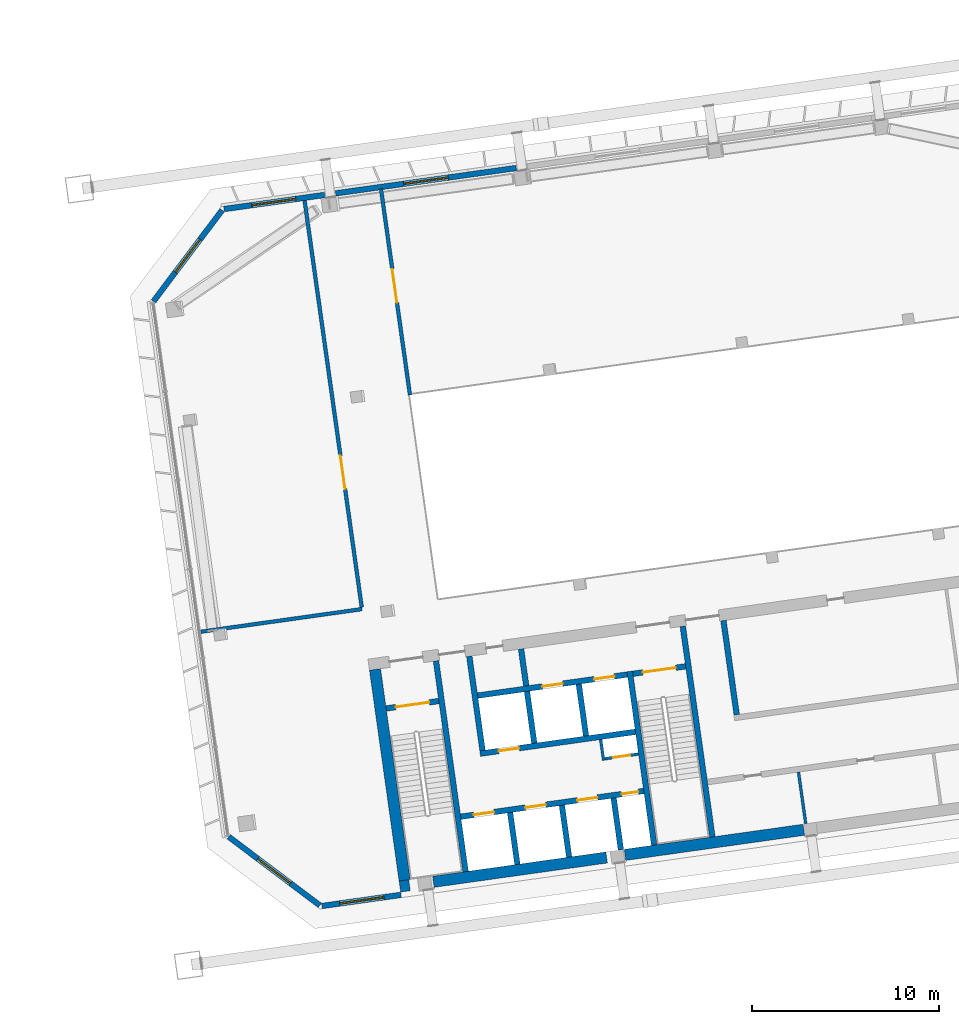
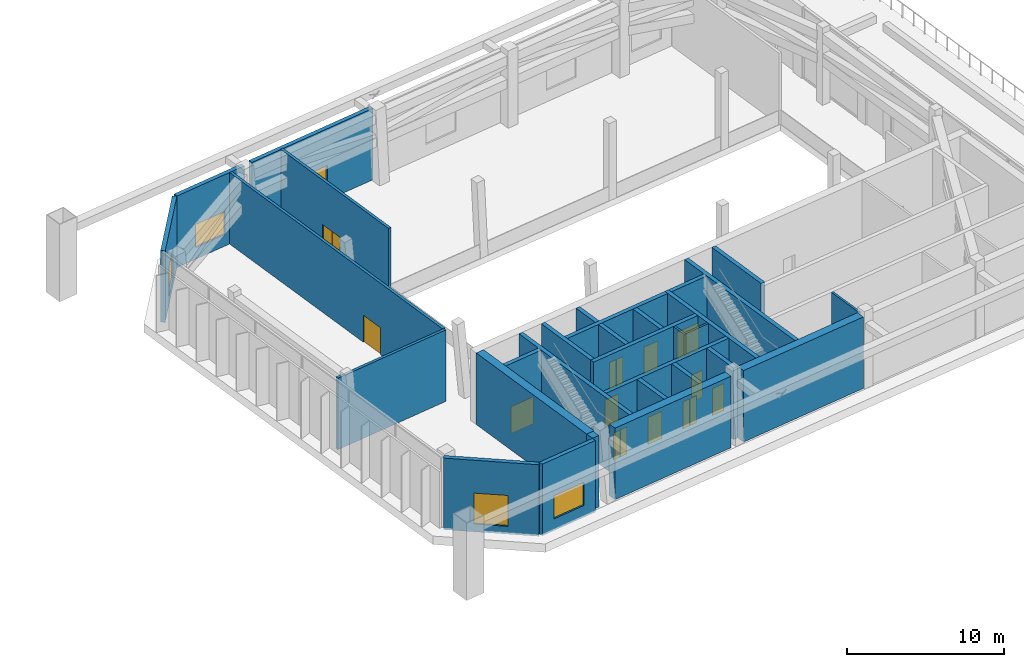
# One storey, part 17 of 29: 31 walls, 12 doors, 5 windows, 17 openings.
"""IFC4 building model written with IfcOpenShell, lengths in metres."""

from ifc_helpers import new_model, si_unit, direction, frame, frame_2d, origin, place, context, subcontext, project, spatial, rectangle, extrude, material, layer, layer_set, type_object, element, fill, save


model = new_model("IFC4")

# Units and contexts
model_context = context("Model", 3, precision=1e-05, world=origin(), true_north=direction((0.0, 1.0)))
body_context = subcontext(model_context, "Body", "Model", "MODEL_VIEW")
ifc_project = project(units=[si_unit("LENGTHUNIT", "METRE"), si_unit("AREAUNIT", "SQUARE_METRE"), si_unit("VOLUMEUNIT", "CUBIC_METRE"), si_unit("PLANEANGLEUNIT", "RADIAN"), si_unit("MASSUNIT", "GRAM", prefix="KILO")], contexts=[model_context])

# Site, building, storey
site_placement = place(None, origin())
site = spatial("IfcSite", under=ifc_project, at=site_placement, CompositionType="ELEMENT")
building_placement = place(site_placement, origin())
building = spatial("IfcBuilding", under=site, at=building_placement, Name="Mirante Cascada Hotel Towers", CompositionType="ELEMENT")
storey_placement = place(building_placement, frame((0.0, 0.0, 210.6)))
storey = spatial("IfcBuildingStorey", under=building, at=storey_placement, Name="L50", CompositionType="ELEMENT", Elevation=210.6)

# Wall
ifc_material_1 = material(Name="Masonry block", Category="masonry")
ifc_layer_1 = layer(ifc_material_1, 0.15)
ifc_layer_set_1 = layer_set([ifc_layer_1], Name="Core room partition 150 block EI 30")
wall_type_1 = type_object("IfcWallType", Name="Core room partition 150 block EI 30", PredefinedType="PARTITIONING", material=ifc_layer_set_1)
wall_1_placement = place(storey_placement, frame((48.2295, -12.793, 0.0), z_axis=(0.0, 0.0, 1.0), x_axis=(-0.1391935, 0.9902652, 0.0)))
element("IfcWall", 1, at=wall_1_placement, inside=storey, type_object=wall_type_1, Name="Core wall partition T2 L50 2", PredefinedType="PARTITIONING", context=body_context, shape_type="SweptSolid", body=[
    extrude(rectangle(XDim=1.1251, YDim=0.15, at=frame_2d((0.5626, 0.0))), origin(), (0.0, 0.0, 1.0), 5.55),
])

# Wall, opening, door
wall_2_placement = place(storey_placement, frame((48.2933, -12.7083, 0.0), z_axis=(0.0, 0.0, 1.0), x_axis=(0.990268, 0.1391734, 0.0)))
wall_2 = element("IfcWall", 2, at=wall_2_placement, inside=storey, type_object=wall_type_1, Name="Core wall partition T2 L50 3", PredefinedType="PARTITIONING", context=body_context, shape_type="SweptSolid", body=[
    extrude(rectangle(XDim=1.8251, YDim=0.15, at=frame_2d((0.9126, 0.0))), origin(), (0.0, 0.0, 1.0), 5.55),
])
opening_1_placement = place(wall_2_placement, frame((0.4625, 0.0, 0.0)))
opening_1 = element("IfcOpeningElement", 3, at=opening_1_placement, cuts=wall_2, Name="Opening D2-50-C15", PredefinedType="OPENING", context=body_context, shape_type="SweptSolid", body=[
    extrude(rectangle(XDim=0.9, YDim=2.1, at=frame_2d((0.45, 1.05))), frame((0.0, 0.075, 0.0), z_axis=(0.0, -1.0, 0.0), x_axis=(1.0, 0.0, 0.0)), (0.0, 0.0, 1.0), 0.15),
])
ifc_material_2 = material(Name="Hollow metal fire door leaf")
door_type_1 = type_object("IfcDoorType", Name="Fire door 900x2100 FD60", OperationType="NOTDEFINED", PredefinedType="DOOR", material=ifc_material_2)
door_1_placement = place(opening_1_placement, frame((0.9, 0.0, 0.0), z_axis=(0.0, 0.0, 1.0), x_axis=(-1.0, 0.0, 0.0)))
door_1 = element("IfcDoor", 4, at=door_1_placement, inside=storey, type_object=door_type_1, Name="Riser door T2 L50 15", OperationType="SINGLE_SWING_RIGHT", OverallHeight=2.1, OverallWidth=0.9, PredefinedType="DOOR", context=body_context, shape_type="SweptSolid", body=[
    extrude(rectangle(XDim=0.9, YDim=2.1, at=frame_2d((0.45, 1.05))), frame((0.0, 0.025, 0.0), z_axis=(0.0, -1.0, 0.0), x_axis=(1.0, 0.0, 0.0)), (0.0, 0.0, 1.0), 0.05),
])
fill(opening_1, door_1)

# Walls
wall_3_placement = place(storey_placement, frame((59.0582, -16.194, 0.0), z_axis=(0.0, 0.0, 1.0), x_axis=(-0.139181, 0.990267, 0.0)))
element("IfcWall", 5, at=wall_3_placement, inside=storey, type_object=wall_type_1, Name="Core wall partition T2 L50 5", PredefinedType="PARTITIONING", context=body_context, shape_type="SweptSolid", body=[
    extrude(rectangle(XDim=2.8, YDim=0.15, at=frame_2d((1.4, 0.0))), origin(), (0.0, 0.0, 1.0), 5.55),
])
ifc_material_3 = material(Name="Masonry block", Category="masonry")
ifc_layer_2 = layer(ifc_material_3, 0.3)
ifc_layer_set_2 = layer_set([ifc_layer_2], Name="Core wall 300 block EI 120")
wall_type_2 = type_object("IfcWallType", Name="Core wall 300 block EI 120", PredefinedType="PARTITIONING", material=ifc_layer_set_2)
wall_4_placement = place(storey_placement, frame((44.0843, -8.8061, 0.0), z_axis=(0.0, 0.0, 1.0), x_axis=(-0.1391951, 0.990265, 0.0)))
element("IfcWall", 6, at=wall_4_placement, inside=storey, type_object=wall_type_2, Name="Core wall partition T2 L50 1", PredefinedType="PARTITIONING", context=body_context, shape_type="SweptSolid", body=[
    extrude(rectangle(XDim=2.0001, YDim=0.3, at=frame_2d((1.0001, 0.0))), origin(), (0.0, 0.0, 1.0), 5.55),
])

# Wall, opening, window
ifc_material_4 = material(Name="Precast concrete C40/50", Category="concrete")
ifc_layer_3 = layer(ifc_material_4, 0.3)
ifc_layer_set_3 = layer_set([ifc_layer_3], Name="Precast concrete C40/50 cladding wall 300")
wall_type_3 = type_object("IfcWallType", Name="Precast concrete C40/50 cladding wall 300", PredefinedType="STANDARD", material=ifc_layer_set_3)
wall_5_placement = place(storey_placement, frame((27.8911, 16.7388, 0.0), z_axis=(0.0, 0.0, 1.0), x_axis=(0.9902658, 0.139189, 0.0)))
wall_5 = element("IfcWall", 7, at=wall_5_placement, inside=storey, type_object=wall_type_3, Name="Cladding pier wall T2 L50 front 1", PredefinedType="STANDARD", context=body_context, shape_type="SweptSolid", body=[
    extrude(rectangle(XDim=5.4444, YDim=0.3, at=frame_2d((2.7222, 0.0))), origin(), (0.0, 0.0, 1.0), 5.55),
])
opening_2_placement = place(wall_5_placement, frame((1.4911, 0.0, 0.9)))
opening_2 = element("IfcOpeningElement", 8, at=opening_2_placement, cuts=wall_5, Name="Opening W2-50-01", PredefinedType="OPENING", context=body_context, shape_type="SweptSolid", body=[
    extrude(rectangle(XDim=2.4, YDim=1.8, at=frame_2d((1.2, 0.9))), frame((0.0, 0.15, 0.0), z_axis=(0.0, -1.0, 0.0), x_axis=(1.0, 0.0, 0.0)), (0.0, 0.0, 1.0), 0.3),
])
ifc_material_5 = material(Name="Aluminium frame with clear double glazing", Category="aluminium")
window_type_1 = type_object("IfcWindowType", Name="Punched window 2400x1800", PartitioningType="DOUBLE_PANEL_VERTICAL", PredefinedType="WINDOW", material=ifc_material_5)
window_1_placement = place(opening_2_placement, origin())
window_1 = element("IfcWindow", 9, at=window_1_placement, inside=storey, type_object=window_type_1, Name="Window W2-50-01", OverallHeight=1.8, OverallWidth=2.4, PartitioningType="SINGLE_PANEL", PredefinedType="WINDOW", context=body_context, shape_type="SweptSolid", body=[
    extrude(rectangle(XDim=2.4, YDim=1.8, at=frame_2d((1.2, 0.9))), frame((0.0, 0.03, 0.0), z_axis=(0.0, -1.0, 0.0), x_axis=(1.0, 0.0, 0.0)), (0.0, 0.0, 1.0), 0.06),
])
fill(opening_2, window_1)

wall_6_placement = place(storey_placement, frame((33.8767, 17.5801, 0.0), z_axis=(0.0, 0.0, 1.0), x_axis=(0.9902686, 0.1391693, 0.0)))
wall_6 = element("IfcWall", 10, at=wall_6_placement, inside=storey, type_object=wall_type_3, Name="Cladding pier wall T2 L50 front 2", PredefinedType="STANDARD", context=body_context, shape_type="SweptSolid", body=[
    extrude(rectangle(XDim=9.768, YDim=0.3, at=frame_2d((4.884, 0.0))), origin(), (0.0, 0.0, 1.0), 5.55),
])
opening_3_placement = place(wall_6_placement, frame((3.684, 0.0, 0.9)))
opening_3 = element("IfcOpeningElement", 11, at=opening_3_placement, cuts=wall_6, Name="Opening W2-50-02", PredefinedType="OPENING", context=body_context, shape_type="SweptSolid", body=[
    extrude(rectangle(XDim=2.4, YDim=1.8, at=frame_2d((1.2, 0.9))), frame((0.0, 0.15, 0.0), z_axis=(0.0, -1.0, 0.0), x_axis=(1.0, 0.0, 0.0)), (0.0, 0.0, 1.0), 0.3),
])
window_2_placement = place(opening_3_placement, origin())
window_2 = element("IfcWindow", 12, at=window_2_placement, inside=storey, type_object=window_type_1, Name="Window W2-50-02", OverallHeight=1.8, OverallWidth=2.4, PartitioningType="SINGLE_PANEL", PredefinedType="WINDOW", context=body_context, shape_type="SweptSolid", body=[
    extrude(rectangle(XDim=2.4, YDim=1.8, at=frame_2d((1.2, 0.9))), frame((0.0, 0.03, 0.0), z_axis=(0.0, -1.0, 0.0), x_axis=(1.0, 0.0, 0.0)), (0.0, 0.0, 1.0), 0.06),
])
fill(opening_3, window_2)

wall_7_placement = place(storey_placement, frame((33.138, -20.5943, 0.0), z_axis=(0.0, 0.0, 1.0), x_axis=(0.9902652, 0.1391936, 0.0)))
wall_7 = element("IfcWall", 13, at=wall_7_placement, inside=storey, type_object=wall_type_3, Name="Rear cladding wall T2 L50 1", PredefinedType="STANDARD", context=body_context, shape_type="SweptSolid", body=[
    extrude(rectangle(XDim=4.2804, YDim=0.3, at=frame_2d((2.1402, 0.0))), origin(), (0.0, 0.0, 1.0), 5.55),
])
opening_4_placement = place(wall_7_placement, frame((0.959, 0.0, 0.9)))
opening_4 = element("IfcOpeningElement", 14, at=opening_4_placement, cuts=wall_7, Name="Opening W2-50-06", PredefinedType="OPENING", context=body_context, shape_type="SweptSolid", body=[
    extrude(rectangle(XDim=2.4, YDim=1.8, at=frame_2d((1.2, 0.9))), frame((0.0, 0.15, 0.0), z_axis=(0.0, -1.0, 0.0), x_axis=(1.0, 0.0, 0.0)), (0.0, 0.0, 1.0), 0.3),
])
window_3_placement = place(opening_4_placement, origin())
window_3 = element("IfcWindow", 15, at=window_3_placement, inside=storey, type_object=window_type_1, Name="Window W2-50-06", OverallHeight=1.8, OverallWidth=2.4, PartitioningType="SINGLE_PANEL", PredefinedType="WINDOW", context=body_context, shape_type="SweptSolid", body=[
    extrude(rectangle(XDim=2.4, YDim=1.8, at=frame_2d((1.2, 0.9))), frame((0.0, 0.03, 0.0), z_axis=(0.0, -1.0, 0.0), x_axis=(1.0, 0.0, 0.0)), (0.0, 0.0, 1.0), 0.06),
])
fill(opening_4, window_3)

wall_8_placement = place(storey_placement, frame((27.7922, 16.6806, 0.0), z_axis=(0.0, 0.0, 1.0), x_axis=(-0.6018115, -0.7986381, 0.0)))
wall_8 = element("IfcWall", 16, at=wall_8_placement, inside=storey, type_object=wall_type_3, Name="Corner cladding wall T2 L50 front inner", PredefinedType="STANDARD", context=body_context, shape_type="SweptSolid", body=[
    extrude(rectangle(XDim=6.1155, YDim=0.3, at=frame_2d((3.0578, 0.0))), origin(), (0.0, 0.0, 1.0), 5.55),
])
opening_5_placement = place(wall_8_placement, frame((1.9577, 0.0, 0.6)))
opening_5 = element("IfcOpeningElement", 17, at=opening_5_placement, cuts=wall_8, Name="Opening W2-50-09", PredefinedType="OPENING", context=body_context, shape_type="SweptSolid", body=[
    extrude(rectangle(XDim=2.2, YDim=2.4, at=frame_2d((1.1, 1.2))), frame((0.0, 0.15, 0.0), z_axis=(0.0, -1.0, 0.0), x_axis=(1.0, 0.0, 0.0)), (0.0, 0.0, 1.0), 0.3),
])
ifc_material_6 = material(Name="Aluminium frame with clear double glazing", Category="aluminium")
window_type_2 = type_object("IfcWindowType", Name="Corner suite window 2200x2400", PartitioningType="DOUBLE_PANEL_VERTICAL", PredefinedType="WINDOW", material=ifc_material_6)
window_4_placement = place(opening_5_placement, origin())
window_4 = element("IfcWindow", 18, at=window_4_placement, inside=storey, type_object=window_type_2, Name="Window W2-50-09", OverallHeight=2.4, OverallWidth=2.2, PartitioningType="SINGLE_PANEL", PredefinedType="WINDOW", context=body_context, shape_type="SweptSolid", body=[
    extrude(rectangle(XDim=2.2, YDim=2.4, at=frame_2d((1.1, 1.2))), frame((0.0, 0.03, 0.0), z_axis=(0.0, -1.0, 0.0), x_axis=(1.0, 0.0, 0.0)), (0.0, 0.0, 1.0), 0.06),
])
fill(opening_5, window_4)

wall_9_placement = place(storey_placement, frame((28.1427, -16.8851, 0.0), z_axis=(0.0, 0.0, 1.0), x_axis=(0.7986381, -0.6018115, 0.0)))
wall_9 = element("IfcWall", 19, at=wall_9_placement, inside=storey, type_object=wall_type_3, Name="Corner cladding wall T2 L50 inner rear", PredefinedType="STANDARD", context=body_context, shape_type="SweptSolid", body=[
    extrude(rectangle(XDim=6.1155, YDim=0.3, at=frame_2d((3.0578, 0.0))), origin(), (0.0, 0.0, 1.0), 5.55),
])
opening_6_placement = place(wall_9_placement, frame((1.9578, 0.0, 0.6)))
opening_6 = element("IfcOpeningElement", 20, at=opening_6_placement, cuts=wall_9, Name="Opening W2-50-10", PredefinedType="OPENING", context=body_context, shape_type="SweptSolid", body=[
    extrude(rectangle(XDim=2.2, YDim=2.4, at=frame_2d((1.1, 1.2))), frame((0.0, 0.15, 0.0), z_axis=(0.0, -1.0, 0.0), x_axis=(1.0, 0.0, 0.0)), (0.0, 0.0, 1.0), 0.3),
])
window_5_placement = place(opening_6_placement, origin())
window_5 = element("IfcWindow", 21, at=window_5_placement, inside=storey, type_object=window_type_2, Name="Window W2-50-10", OverallHeight=2.4, OverallWidth=2.2, PartitioningType="SINGLE_PANEL", PredefinedType="WINDOW", context=body_context, shape_type="SweptSolid", body=[
    extrude(rectangle(XDim=2.2, YDim=2.4, at=frame_2d((1.1, 1.2))), frame((0.0, 0.03, 0.0), z_axis=(0.0, -1.0, 0.0), x_axis=(1.0, 0.0, 0.0)), (0.0, 0.0, 1.0), 0.06),
])
fill(opening_6, window_5)

# Walls
ifc_material_7 = material(Name="Concrete C50/60", Category="concrete")
ifc_layer_4 = layer(ifc_material_7, 0.3)
ifc_layer_set_4 = layer_set([ifc_layer_4], Name="RC core wall 300 C50/60")
wall_type_4 = type_object("IfcWallType", Name="RC core wall 300 C50/60", PredefinedType="SHEAR", material=ifc_layer_set_4)
wall_10_placement = place(storey_placement, frame((40.8373, -18.7548, 0.0), z_axis=(0.0, 0.0, 1.0), x_axis=(-0.1391749, 0.9902678, 0.0)))
element("IfcWall", 22, at=wall_10_placement, inside=storey, type_object=wall_type_4, Name="Core wall T2:L50:5", PredefinedType="SHEAR", context=body_context, shape_type="SweptSolid", body=[
    extrude(rectangle(XDim=11.4, YDim=0.3, at=frame_2d((5.7, 0.0))), origin(), (0.0, 0.0, 1.0), 5.55),
])
wall_11_placement = place(storey_placement, frame((50.938, -17.3352, 0.0), z_axis=(0.0, 0.0, 1.0), x_axis=(-0.1391706, 0.9902684, 0.0)))
element("IfcWall", 23, at=wall_11_placement, inside=storey, type_object=wall_type_4, Name="Core wall T2:L50:6", PredefinedType="SHEAR", context=body_context, shape_type="SweptSolid", body=[
    extrude(rectangle(XDim=9.4, YDim=0.3, at=frame_2d((4.7, 0.0))), origin(), (0.0, 0.0, 1.0), 5.55),
])
wall_12_placement = place(storey_placement, frame((54.0574, -16.8968, 0.0), z_axis=(0.0, 0.0, 1.0), x_axis=(-0.1391761, 0.9902677, 0.0)))
element("IfcWall", 24, at=wall_12_placement, inside=storey, type_object=wall_type_4, Name="Core wall T2:L50:7", PredefinedType="SHEAR", context=body_context, shape_type="SweptSolid", body=[
    extrude(rectangle(XDim=11.3999, YDim=0.3, at=frame_2d((5.7, 0.0))), origin(), (0.0, 0.0, 1.0), 5.55),
])

# Wall, opening, door
wall_13_placement = place(storey_placement, frame((36.5791, -10.0123, 0.0), z_axis=(0.0, 0.0, 1.0), x_axis=(0.9902704, 0.1391564, 0.0)))
wall_13 = element("IfcWall", 25, at=wall_13_placement, inside=storey, type_object=wall_type_4, Name="Core wall T2:L50:8", PredefinedType="SHEAR", context=body_context, shape_type="SweptSolid", body=[
    extrude(rectangle(XDim=2.85, YDim=0.3, at=frame_2d((1.425, 0.0))), origin(), (0.0, 0.0, 1.0), 5.55),
])
opening_7_placement = place(wall_13_placement, frame((0.525, 0.0, 0.0)))
opening_7 = element("IfcOpeningElement", 26, at=opening_7_placement, cuts=wall_13, Name="Opening D2-50-C07", PredefinedType="OPENING", context=body_context, shape_type="SweptSolid", body=[
    extrude(rectangle(XDim=1.8, YDim=2.1, at=frame_2d((0.9, 1.05))), frame((0.0, 0.15, 0.0), z_axis=(0.0, -1.0, 0.0), x_axis=(1.0, 0.0, 0.0)), (0.0, 0.0, 1.0), 0.3),
])
ifc_material_8 = material(Name="Hollow metal fire door leaf")
door_type_2 = type_object("IfcDoorType", Name="Double fire door 1800x2100 FD60", OperationType="DOUBLE_DOOR_SINGLE_SWING", PredefinedType="DOOR", material=ifc_material_8)
door_2_placement = place(opening_7_placement, frame((1.8, 0.0, 0.0), z_axis=(0.0, 0.0, 1.0), x_axis=(-1.0, 0.0, 0.0)))
door_2 = element("IfcDoor", 27, at=door_2_placement, inside=storey, type_object=door_type_2, Name="Stair door T2 L50 7", OperationType="DOUBLE_DOOR_SINGLE_SWING", OverallHeight=2.1, OverallWidth=1.8, PredefinedType="DOOR", context=body_context, shape_type="SweptSolid", body=[
    extrude(rectangle(XDim=0.895, YDim=2.1, at=frame_2d((0.4475, 1.05))), frame((0.0, 0.025, 0.0), z_axis=(0.0, -1.0, 0.0), x_axis=(1.0, 0.0, 0.0)), (0.0, 0.0, 1.0), 0.05),
    extrude(rectangle(XDim=0.895, YDim=2.1, at=frame_2d((1.3525, 1.05))), frame((0.0, 0.025, 0.0), z_axis=(0.0, -1.0, 0.0), x_axis=(1.0, 0.0, 0.0)), (0.0, 0.0, 1.0), 0.05),
])
fill(opening_7, door_2)

wall_14_placement = place(storey_placement, frame((49.7992, -8.1544, 0.0), z_axis=(0.0, 0.0, 1.0), x_axis=(0.9902656, 0.1391909, 0.0)))
wall_14 = element("IfcWall", 28, at=wall_14_placement, inside=storey, type_object=wall_type_4, Name="Core wall T2:L50:9", PredefinedType="SHEAR", context=body_context, shape_type="SweptSolid", body=[
    extrude(rectangle(XDim=2.85, YDim=0.3, at=frame_2d((1.425, 0.0))), origin(), (0.0, 0.0, 1.0), 5.55),
])
opening_8_placement = place(wall_14_placement, frame((0.525, 0.0, 0.0)))
opening_8 = element("IfcOpeningElement", 29, at=opening_8_placement, cuts=wall_14, Name="Opening D2-50-C09", PredefinedType="OPENING", context=body_context, shape_type="SweptSolid", body=[
    extrude(rectangle(XDim=1.8, YDim=2.1, at=frame_2d((0.9, 1.05))), frame((0.0, 0.15, 0.0), z_axis=(0.0, -1.0, 0.0), x_axis=(1.0, 0.0, 0.0)), (0.0, 0.0, 1.0), 0.3),
])
door_3_placement = place(opening_8_placement, frame((1.8, 0.0, 0.0), z_axis=(0.0, 0.0, 1.0), x_axis=(-1.0, 0.0, 0.0)))
door_3 = element("IfcDoor", 30, at=door_3_placement, inside=storey, type_object=door_type_2, Name="Stair door T2 L50 9", OperationType="DOUBLE_DOOR_SINGLE_SWING", OverallHeight=2.1, OverallWidth=1.8, PredefinedType="DOOR", context=body_context, shape_type="SweptSolid", body=[
    extrude(rectangle(XDim=0.895, YDim=2.1, at=frame_2d((0.4475, 1.05))), frame((0.0, 0.025, 0.0), z_axis=(0.0, -1.0, 0.0), x_axis=(1.0, 0.0, 0.0)), (0.0, 0.0, 1.0), 0.05),
    extrude(rectangle(XDim=0.895, YDim=2.1, at=frame_2d((1.3525, 1.05))), frame((0.0, 0.025, 0.0), z_axis=(0.0, -1.0, 0.0), x_axis=(1.0, 0.0, 0.0)), (0.0, 0.0, 1.0), 0.05),
])
fill(opening_8, door_3)

# Wall, openings, doors
wall_15_placement = place(storey_placement, frame((40.5753, -15.8126, 0.0), z_axis=(0.0, 0.0, 1.0), x_axis=(0.9902682, 0.1391725, 0.0)))
wall_15 = element("IfcWall", 31, at=wall_15_placement, inside=storey, type_object=wall_type_4, Name="Core wall T2:L50:10", PredefinedType="SHEAR", context=body_context, shape_type="SweptSolid", body=[
    extrude(rectangle(XDim=9.8999, YDim=0.3, at=frame_2d((4.95, 0.0))), origin(), (0.0, 0.0, 1.0), 5.55),
])
opening_9_placement = place(wall_15_placement, frame((0.7, 0.0, 0.0)))
opening_9 = element("IfcOpeningElement", 32, at=opening_9_placement, cuts=wall_15, Name="Opening LD", PredefinedType="OPENING", context=body_context, shape_type="SweptSolid", body=[
    extrude(rectangle(XDim=1.1, YDim=2.1, at=frame_2d((0.55, 1.05))), frame((0.0, 0.15, 0.0), z_axis=(0.0, -1.0, 0.0), x_axis=(1.0, 0.0, 0.0)), (0.0, 0.0, 1.0), 0.3),
])
opening_10_placement = place(wall_15_placement, frame((3.5, 0.0, 0.0)))
opening_10 = element("IfcOpeningElement", 33, at=opening_10_placement, cuts=wall_15, Name="Opening LD", PredefinedType="OPENING", context=body_context, shape_type="SweptSolid", body=[
    extrude(rectangle(XDim=1.1, YDim=2.1, at=frame_2d((0.55, 1.05))), frame((0.0, 0.15, 0.0), z_axis=(0.0, -1.0, 0.0), x_axis=(1.0, 0.0, 0.0)), (0.0, 0.0, 1.0), 0.3),
])
opening_11_placement = place(wall_15_placement, frame((6.3, 0.0, 0.0)))
opening_11 = element("IfcOpeningElement", 34, at=opening_11_placement, cuts=wall_15, Name="Opening LD", PredefinedType="OPENING", context=body_context, shape_type="SweptSolid", body=[
    extrude(rectangle(XDim=1.1, YDim=2.1, at=frame_2d((0.55, 1.05))), frame((0.0, 0.15, 0.0), z_axis=(0.0, -1.0, 0.0), x_axis=(1.0, 0.0, 0.0)), (0.0, 0.0, 1.0), 0.3),
])
opening_12_placement = place(wall_15_placement, frame((8.7, 0.0, 0.0)))
opening_12 = element("IfcOpeningElement", 35, at=opening_12_placement, cuts=wall_15, Name="Opening D2-50-C14", PredefinedType="OPENING", context=body_context, shape_type="SweptSolid", body=[
    extrude(rectangle(XDim=0.9, YDim=2.1, at=frame_2d((0.45, 1.05))), frame((0.0, 0.15, 0.0), z_axis=(0.0, -1.0, 0.0), x_axis=(1.0, 0.0, 0.0)), (0.0, 0.0, 1.0), 0.3),
])
door_4_placement = place(opening_12_placement, frame((0.9, 0.0, 0.0), z_axis=(0.0, 0.0, 1.0), x_axis=(-1.0, 0.0, 0.0)))
door_4 = element("IfcDoor", 36, at=door_4_placement, inside=storey, type_object=door_type_1, Name="Riser door T2 L50 14", OperationType="SINGLE_SWING_RIGHT", OverallHeight=2.1, OverallWidth=0.9, PredefinedType="DOOR", context=body_context, shape_type="SweptSolid", body=[
    extrude(rectangle(XDim=0.9, YDim=2.1, at=frame_2d((0.45, 1.05))), frame((0.0, 0.025, 0.0), z_axis=(0.0, -1.0, 0.0), x_axis=(1.0, 0.0, 0.0)), (0.0, 0.0, 1.0), 0.05),
])
fill(opening_12, door_4)
ifc_material_9 = material(Name="Stainless steel", Category="steel")
door_type_3 = type_object("IfcDoorType", Name="Lift landing door 1100x2100 EI 120", OperationType="DOUBLE_DOOR_SLIDING", PredefinedType="DOOR", material=ifc_material_9)
door_5_placement = place(opening_9_placement, origin())
door_5 = element("IfcDoor", 37, at=door_5_placement, inside=storey, type_object=door_type_3, Name="Lift landing door HR2-1 L50", OperationType="DOUBLE_DOOR_SLIDING", OverallHeight=2.1, OverallWidth=1.1, PredefinedType="DOOR", context=body_context, shape_type="SweptSolid", body=[
    extrude(rectangle(XDim=0.545, YDim=2.1, at=frame_2d((0.2725, 1.05))), frame((0.0, 0.025, 0.0), z_axis=(0.0, -1.0, 0.0), x_axis=(1.0, 0.0, 0.0)), (0.0, 0.0, 1.0), 0.05),
    extrude(rectangle(XDim=0.545, YDim=2.1, at=frame_2d((0.8275, 1.05))), frame((0.0, 0.025, 0.0), z_axis=(0.0, -1.0, 0.0), x_axis=(1.0, 0.0, 0.0)), (0.0, 0.0, 1.0), 0.05),
])
fill(opening_9, door_5)
door_6_placement = place(opening_10_placement, origin())
door_6 = element("IfcDoor", 38, at=door_6_placement, inside=storey, type_object=door_type_3, Name="Lift landing door HR2-2 L50", OperationType="DOUBLE_DOOR_SLIDING", OverallHeight=2.1, OverallWidth=1.1, PredefinedType="DOOR", context=body_context, shape_type="SweptSolid", body=[
    extrude(rectangle(XDim=0.545, YDim=2.1, at=frame_2d((0.2725, 1.05))), frame((0.0, 0.025, 0.0), z_axis=(0.0, -1.0, 0.0), x_axis=(1.0, 0.0, 0.0)), (0.0, 0.0, 1.0), 0.05),
    extrude(rectangle(XDim=0.545, YDim=2.1, at=frame_2d((0.8275, 1.05))), frame((0.0, 0.025, 0.0), z_axis=(0.0, -1.0, 0.0), x_axis=(1.0, 0.0, 0.0)), (0.0, 0.0, 1.0), 0.05),
])
fill(opening_10, door_6)
door_7_placement = place(opening_11_placement, origin())
door_7 = element("IfcDoor", 39, at=door_7_placement, inside=storey, type_object=door_type_3, Name="Lift landing door HR2-3 L50", OperationType="DOUBLE_DOOR_SLIDING", OverallHeight=2.1, OverallWidth=1.1, PredefinedType="DOOR", context=body_context, shape_type="SweptSolid", body=[
    extrude(rectangle(XDim=0.545, YDim=2.1, at=frame_2d((0.2725, 1.05))), frame((0.0, 0.025, 0.0), z_axis=(0.0, -1.0, 0.0), x_axis=(1.0, 0.0, 0.0)), (0.0, 0.0, 1.0), 0.05),
    extrude(rectangle(XDim=0.545, YDim=2.1, at=frame_2d((0.8275, 1.05))), frame((0.0, 0.025, 0.0), z_axis=(0.0, -1.0, 0.0), x_axis=(1.0, 0.0, 0.0)), (0.0, 0.0, 1.0), 0.05),
])
fill(opening_11, door_7)

# Wall, opening, door
wall_16_placement = place(storey_placement, frame((41.6153, -12.435, 0.0), z_axis=(0.0, 0.0, 1.0), x_axis=(0.9902691, 0.139166, 0.0)))
wall_16 = element("IfcWall", 40, at=wall_16_placement, inside=storey, type_object=wall_type_4, Name="Core wall T2:L50:11", PredefinedType="SHEAR", context=body_context, shape_type="SweptSolid", body=[
    extrude(rectangle(XDim=8.4, YDim=0.3, at=frame_2d((4.2, 0.0))), origin(), (0.0, 0.0, 1.0), 5.55),
])
opening_13_placement = place(wall_16_placement, frame((1.0, 0.0, 0.0)))
opening_13 = element("IfcOpeningElement", 41, at=opening_13_placement, cuts=wall_16, Name="Opening LD", PredefinedType="OPENING", context=body_context, shape_type="SweptSolid", body=[
    extrude(rectangle(XDim=1.1, YDim=2.1, at=frame_2d((0.55, 1.05))), frame((0.0, 0.15, 0.0), z_axis=(0.0, -1.0, 0.0), x_axis=(1.0, 0.0, 0.0)), (0.0, 0.0, 1.0), 0.3),
])
door_8_placement = place(opening_13_placement, origin())
door_8 = element("IfcDoor", 42, at=door_8_placement, inside=storey, type_object=door_type_3, Name="Lift landing door HR2-4 L50", OperationType="DOUBLE_DOOR_SLIDING", OverallHeight=2.1, OverallWidth=1.1, PredefinedType="DOOR", context=body_context, shape_type="SweptSolid", body=[
    extrude(rectangle(XDim=0.545, YDim=2.1, at=frame_2d((0.2725, 1.05))), frame((0.0, 0.025, 0.0), z_axis=(0.0, -1.0, 0.0), x_axis=(1.0, 0.0, 0.0)), (0.0, 0.0, 1.0), 0.05),
    extrude(rectangle(XDim=0.545, YDim=2.1, at=frame_2d((0.8275, 1.05))), frame((0.0, 0.025, 0.0), z_axis=(0.0, -1.0, 0.0), x_axis=(1.0, 0.0, 0.0)), (0.0, 0.0, 1.0), 0.05),
])
fill(opening_13, door_8)

# Wall, openings, doors
wall_17_placement = place(storey_placement, frame((41.481, -9.3234, 0.0), z_axis=(0.0, 0.0, 1.0), x_axis=(0.9902679, 0.1391741, 0.0)))
wall_17 = element("IfcWall", 43, at=wall_17_placement, inside=storey, type_object=wall_type_4, Name="Core wall T2:L50:12", PredefinedType="SHEAR", context=body_context, shape_type="SweptSolid", body=[
    extrude(rectangle(XDim=8.0999, YDim=0.3, at=frame_2d((4.05, 0.0))), origin(), (0.0, 0.0, 1.0), 5.55),
])
opening_14_placement = place(wall_17_placement, frame((3.5, 0.0, 0.0)))
opening_14 = element("IfcOpeningElement", 44, at=opening_14_placement, cuts=wall_17, Name="Opening LD", PredefinedType="OPENING", context=body_context, shape_type="SweptSolid", body=[
    extrude(rectangle(XDim=1.1, YDim=2.1, at=frame_2d((0.55, 1.05))), frame((0.0, 0.15, 0.0), z_axis=(0.0, -1.0, 0.0), x_axis=(1.0, 0.0, 0.0)), (0.0, 0.0, 1.0), 0.3),
])
opening_15_placement = place(wall_17_placement, frame((6.3, 0.0, 0.0)))
opening_15 = element("IfcOpeningElement", 45, at=opening_15_placement, cuts=wall_17, Name="Opening LD", PredefinedType="OPENING", context=body_context, shape_type="SweptSolid", body=[
    extrude(rectangle(XDim=1.1, YDim=2.1, at=frame_2d((0.55, 1.05))), frame((0.0, 0.15, 0.0), z_axis=(0.0, -1.0, 0.0), x_axis=(1.0, 0.0, 0.0)), (0.0, 0.0, 1.0), 0.3),
])
door_9_placement = place(opening_14_placement, origin())
door_9 = element("IfcDoor", 46, at=door_9_placement, inside=storey, type_object=door_type_3, Name="Lift landing door FF3 L50", OperationType="DOUBLE_DOOR_SLIDING", OverallHeight=2.1, OverallWidth=1.1, PredefinedType="DOOR", context=body_context, shape_type="SweptSolid", body=[
    extrude(rectangle(XDim=0.545, YDim=2.1, at=frame_2d((0.2725, 1.05))), frame((0.0, 0.025, 0.0), z_axis=(0.0, -1.0, 0.0), x_axis=(1.0, 0.0, 0.0)), (0.0, 0.0, 1.0), 0.05),
    extrude(rectangle(XDim=0.545, YDim=2.1, at=frame_2d((0.8275, 1.05))), frame((0.0, 0.025, 0.0), z_axis=(0.0, -1.0, 0.0), x_axis=(1.0, 0.0, 0.0)), (0.0, 0.0, 1.0), 0.05),
])
fill(opening_14, door_9)
door_10_placement = place(opening_15_placement, origin())
door_10 = element("IfcDoor", 47, at=door_10_placement, inside=storey, type_object=door_type_3, Name="Lift landing door FF4 L50", OperationType="DOUBLE_DOOR_SLIDING", OverallHeight=2.1, OverallWidth=1.1, PredefinedType="DOOR", context=body_context, shape_type="SweptSolid", body=[
    extrude(rectangle(XDim=0.545, YDim=2.1, at=frame_2d((0.2725, 1.05))), frame((0.0, 0.025, 0.0), z_axis=(0.0, -1.0, 0.0), x_axis=(1.0, 0.0, 0.0)), (0.0, 0.0, 1.0), 0.05),
    extrude(rectangle(XDim=0.545, YDim=2.1, at=frame_2d((0.8275, 1.05))), frame((0.0, 0.025, 0.0), z_axis=(0.0, -1.0, 0.0), x_axis=(1.0, 0.0, 0.0)), (0.0, 0.0, 1.0), 0.05),
])
fill(opening_15, door_10)

# Walls
wall_18_placement = place(storey_placement, frame((43.61, -18.3651, 0.0), z_axis=(0.0, 0.0, 1.0), x_axis=(-0.1391459, 0.9902719, 0.0)))
element("IfcWall", 48, at=wall_18_placement, inside=storey, type_object=wall_type_4, Name="Core wall T2:L50:13", PredefinedType="SHEAR", context=body_context, shape_type="SweptSolid", body=[
    extrude(rectangle(XDim=2.7999, YDim=0.3, at=frame_2d((1.4, 0.0))), origin(), (0.0, 0.0, 1.0), 5.55),
])
wall_19_placement = place(storey_placement, frame((46.3828, -17.9754, 0.0), z_axis=(0.0, 0.0, 1.0), x_axis=(-0.139181, 0.990267, 0.0)))
element("IfcWall", 49, at=wall_19_placement, inside=storey, type_object=wall_type_4, Name="Core wall T2:L50:14", PredefinedType="SHEAR", context=body_context, shape_type="SweptSolid", body=[
    extrude(rectangle(XDim=2.8, YDim=0.3, at=frame_2d((1.4, 0.0))), origin(), (0.0, 0.0, 1.0), 5.55),
])
wall_20_placement = place(storey_placement, frame((49.1555, -17.5857, 0.0), z_axis=(0.0, 0.0, 1.0), x_axis=(-0.1391459, 0.9902719, 0.0)))
element("IfcWall", 50, at=wall_20_placement, inside=storey, type_object=wall_type_4, Name="Core wall T2:L50:15", PredefinedType="SHEAR", context=body_context, shape_type="SweptSolid", body=[
    extrude(rectangle(XDim=2.7999, YDim=0.3, at=frame_2d((1.4, 0.0))), origin(), (0.0, 0.0, 1.0), 5.55),
])
for number, where, z_axis, x_axis, name in (
    (51, (44.5157, -11.8759, 0.0), (0.0, 0.0, 1.0), (-0.139181, 0.990267, 0.0), "Core wall T2:L50:16"),
    (52, (47.2885, -11.4862, 0.0), (0.0, 0.0, 1.0), (-0.139181, 0.990267, 0.0), "Core wall T2:L50:17"),
):
    element("IfcWall", number, at=place(storey_placement, frame(where, z_axis=z_axis, x_axis=x_axis)), inside=storey, type_object=wall_type_4, Name=name, PredefinedType="SHEAR", context=body_context, shape_type="SweptSolid", body=[
        extrude(rectangle(XDim=2.8, YDim=0.3, at=frame_2d((1.4, 0.0))), origin(), (0.0, 0.0, 1.0), 5.55),
    ])
for number, where, z_axis, x_axis, name in (
    (53, (41.743, -12.2656, 0.0), (0.0, 0.0, 1.0), (-0.1391755, 0.9902677, 0.0), "Core wall T2:L50:18"),
    (54, (55.3592, -10.352, 0.0), (0.0, 0.0, 1.0), (-0.1391755, 0.9902677, 0.0), "Core wall T2:L50:27"),
):
    element("IfcWall", number, at=place(storey_placement, frame(where, z_axis=z_axis, x_axis=x_axis)), inside=storey, type_object=wall_type_4, Name=name, PredefinedType="SHEAR", context=body_context, shape_type="SweptSolid", body=[
        extrude(rectangle(XDim=5.1, YDim=0.3, at=frame_2d((2.55, 0.0))), origin(), (0.0, 0.0, 1.0), 5.55),
    ])
ifc_material_10 = material(Name="Concrete C50/60", Category="concrete")
ifc_layer_5 = layer(ifc_material_10, 0.6)
ifc_layer_set_5 = layer_set([ifc_layer_5], Name="RC core wall 600 C50/60")
wall_type_5 = type_object("IfcWallType", Name="RC core wall 600 C50/60", PredefinedType="SHEAR", material=ifc_layer_set_5)
wall_21_placement = place(storey_placement, frame((37.3141, -19.5529, 0.0), z_axis=(0.0, 0.0, 1.0), x_axis=(0.9902703, 0.1391575, 0.0)))
element("IfcWall", 55, at=wall_21_placement, inside=storey, type_object=wall_type_5, Name="Core wall T2:L50:1.1", PredefinedType="SHEAR", context=body_context, shape_type="SweptSolid", body=[
    extrude(rectangle(XDim=0.5196, YDim=0.6, at=frame_2d((0.2598, 0.0))), origin(), (0.0, 0.0, 1.0), 5.55),
])
wall_22_placement = place(storey_placement, frame((39.11, -19.3005, 0.0), z_axis=(0.0, 0.0, 1.0), x_axis=(0.9902683, 0.1391711, 0.0)))
element("IfcWall", 56, at=wall_22_placement, inside=storey, type_object=wall_type_5, Name="Core wall T2:L50:1.2", PredefinedType="SHEAR", context=body_context, shape_type="SweptSolid", body=[
    extrude(rectangle(XDim=9.3712, YDim=0.6, at=frame_2d((4.6856, 0.0))), origin(), (0.0, 0.0, 1.0), 5.55),
])
wall_23_placement = place(storey_placement, frame((49.3773, -17.8575, 0.0), z_axis=(0.0, 0.0, 1.0), x_axis=(0.9902688, 0.1391678, 0.0)))
element("IfcWall", 57, at=wall_23_placement, inside=storey, type_object=wall_type_5, Name="Core wall T2:L50:1.3", PredefinedType="SHEAR", context=body_context, shape_type="SweptSolid", body=[
    extrude(rectangle(XDim=9.6682, YDim=0.6, at=frame_2d((4.8341, 0.0))), origin(), (0.0, 0.0, 1.0), 5.55),
])
wall_24_placement = place(storey_placement, frame((37.5694, -19.2141, 0.0), z_axis=(0.0, 0.0, 1.0), x_axis=(-0.1391749, 0.9902678, 0.0)))
element("IfcWall", 58, at=wall_24_placement, inside=storey, type_object=wall_type_5, Name="Core wall T2:L50:3", PredefinedType="SHEAR", context=body_context, shape_type="SweptSolid", body=[
    extrude(rectangle(XDim=11.4, YDim=0.6, at=frame_2d((5.7, 0.0))), origin(), (0.0, 0.0, 1.0), 5.55),
])
ifc_material_11 = material(Name="Masonry block", Category="masonry")
ifc_layer_6 = layer(ifc_material_11, 0.2)
ifc_layer_set_6 = layer_set([ifc_layer_6], Name="Refuge and plant wall 200 block EI 120")
wall_type_6 = type_object("IfcWallType", Name="Refuge and plant wall 200 block EI 120", PredefinedType="PARTITIONING", material=ifc_layer_set_6)
wall_25_placement = place(storey_placement, frame((26.6561, -5.9034, 0.0), z_axis=(0.0, 0.0, 1.0), x_axis=(0.9902674, 0.1391782, 0.0)))
element("IfcWall", 59, at=wall_25_placement, inside=storey, type_object=wall_type_6, Name="Refuge floor wall T2 L50 S1", PredefinedType="PARTITIONING", context=body_context, shape_type="SweptSolid", body=[
    extrude(rectangle(XDim=8.714, YDim=0.2, at=frame_2d((4.357, 0.0))), origin(), (0.0, 0.0, 1.0), 5.55),
])

# Wall, opening, door
wall_26_placement = place(storey_placement, frame((35.2714, -4.5916, 0.0), z_axis=(0.0, 0.0, 1.0), x_axis=(-0.1391746, 0.9902679, 0.0)))
wall_26 = element("IfcWall", 60, at=wall_26_placement, inside=storey, type_object=wall_type_6, Name="Refuge floor wall T2 L50 S2", PredefinedType="PARTITIONING", context=body_context, shape_type="SweptSolid", body=[
    extrude(rectangle(XDim=22.05, YDim=0.2, at=frame_2d((11.025, 0.0))), origin(), (0.0, 0.0, 1.0), 5.55),
])
opening_16_placement = place(wall_26_placement, frame((6.4, 0.0, 0.0)))
opening_16 = element("IfcOpeningElement", 61, at=opening_16_placement, cuts=wall_26, Name="Opening D2-50-S01", PredefinedType="OPENING", context=body_context, shape_type="SweptSolid", body=[
    extrude(rectangle(XDim=1.8, YDim=2.1, at=frame_2d((0.9, 1.05))), frame((0.0, 0.1, 0.0), z_axis=(0.0, -1.0, 0.0), x_axis=(1.0, 0.0, 0.0)), (0.0, 0.0, 1.0), 0.2),
])
ifc_material_12 = material(Name="Hollow metal fire door leaf")
door_type_4 = type_object("IfcDoorType", Name="Refuge and plant double door 1800x2100 FD60", OperationType="DOUBLE_DOOR_SINGLE_SWING", PredefinedType="DOOR", material=ifc_material_12)
door_11_placement = place(opening_16_placement, origin())
door_11 = element("IfcDoor", 62, at=door_11_placement, inside=storey, type_object=door_type_4, Name="Fire door T2 L50 s1", OperationType="DOUBLE_DOOR_SINGLE_SWING", OverallHeight=2.1, OverallWidth=1.8, PredefinedType="DOOR", context=body_context, shape_type="SweptSolid", body=[
    extrude(rectangle(XDim=0.895, YDim=2.1, at=frame_2d((0.4475, 1.05))), frame((0.0, 0.025, 0.0), z_axis=(0.0, -1.0, 0.0), x_axis=(1.0, 0.0, 0.0)), (0.0, 0.0, 1.0), 0.05),
    extrude(rectangle(XDim=0.895, YDim=2.1, at=frame_2d((1.3525, 1.05))), frame((0.0, 0.025, 0.0), z_axis=(0.0, -1.0, 0.0), x_axis=(1.0, 0.0, 0.0)), (0.0, 0.0, 1.0), 0.05),
])
fill(opening_16, door_11)

wall_27_placement = place(storey_placement, frame((37.8547, 6.7786, 0.0), z_axis=(0.0, 0.0, 1.0), x_axis=(-0.1391747, 0.9902678, 0.0)))
wall_27 = element("IfcWall", 63, at=wall_27_placement, inside=storey, type_object=wall_type_6, Name="Refuge floor wall T2 L50 S3", PredefinedType="PARTITIONING", context=body_context, shape_type="SweptSolid", body=[
    extrude(rectangle(XDim=11.15, YDim=0.2, at=frame_2d((5.575, 0.0))), origin(), (0.0, 0.0, 1.0), 5.55),
])
opening_17_placement = place(wall_27_placement, frame((5.0, 0.0, 0.0)))
opening_17 = element("IfcOpeningElement", 64, at=opening_17_placement, cuts=wall_27, Name="Opening D2-50-S02", PredefinedType="OPENING", context=body_context, shape_type="SweptSolid", body=[
    extrude(rectangle(XDim=1.8, YDim=2.1, at=frame_2d((0.9, 1.05))), frame((0.0, 0.1, 0.0), z_axis=(0.0, -1.0, 0.0), x_axis=(1.0, 0.0, 0.0)), (0.0, 0.0, 1.0), 0.2),
])
door_12_placement = place(opening_17_placement, frame((1.8, 0.0, 0.0), z_axis=(0.0, 0.0, 1.0), x_axis=(-1.0, 0.0, 0.0)))
door_12 = element("IfcDoor", 65, at=door_12_placement, inside=storey, type_object=door_type_4, Name="Fire door T2 L50 s2", OperationType="DOUBLE_DOOR_SINGLE_SWING", OverallHeight=2.1, OverallWidth=1.8, PredefinedType="DOOR", context=body_context, shape_type="SweptSolid", body=[
    extrude(rectangle(XDim=0.895, YDim=2.1, at=frame_2d((0.4475, 1.05))), frame((0.0, 0.025, 0.0), z_axis=(0.0, -1.0, 0.0), x_axis=(1.0, 0.0, 0.0)), (0.0, 0.0, 1.0), 0.05),
    extrude(rectangle(XDim=0.895, YDim=2.1, at=frame_2d((1.3525, 1.05))), frame((0.0, 0.025, 0.0), z_axis=(0.0, -1.0, 0.0), x_axis=(1.0, 0.0, 0.0)), (0.0, 0.0, 1.0), 0.05),
])
fill(opening_17, door_12)

save(model, "model.ifc")
